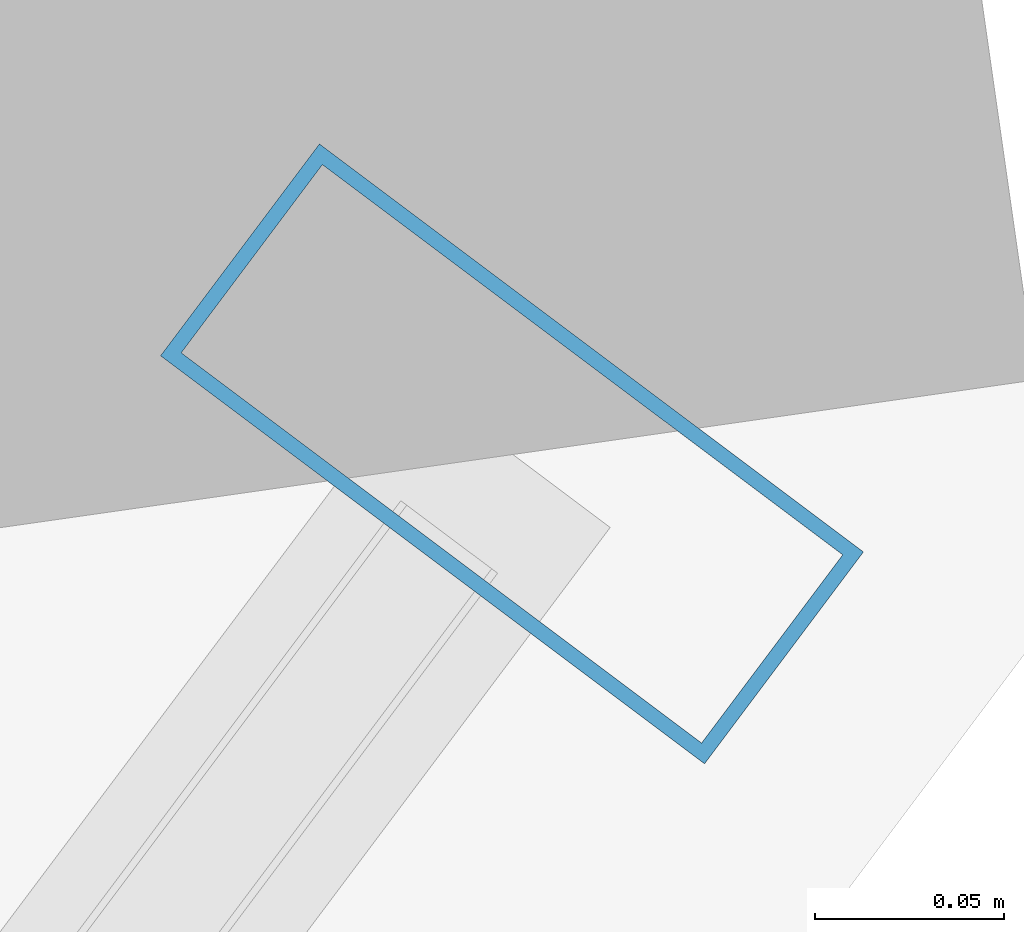
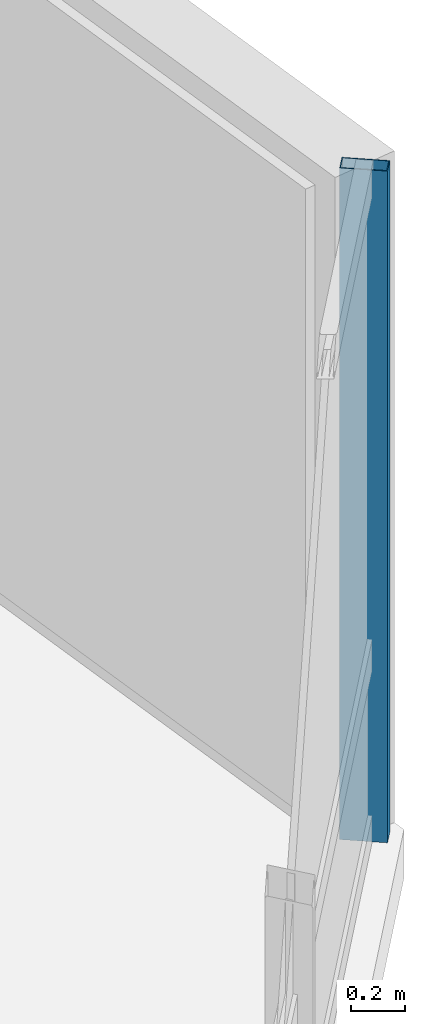
# One storey, part 18 of 36: 1 member, 1 element without a shape of its own.
"""IFC4 building model written with IfcOpenShell, lengths in metres."""

import ifcopenshell
import ifcopenshell.guid

model = None  # the IFC model being written
_history = None  # IfcOwnerHistory: only IFC2X3 demands one
_inside = {}  # id of a spatial element -> (the spatial element, [elements in it])
_under = {}  # id of a project, library or spatial element -> (it, [spatial elements below it])
_declared = {}  # id of a project -> (the project, [libraries it declares])
_typed = {}  # id of a type object -> (the type object, [elements of that type])
_made_of = {}  # id of a material, layer set ... -> (it, [elements and type objects made of it])


def new_model(schema):
    """Start an empty IFC model of exactly this schema.

    Asked for "IFC4X3", IfcOpenShell would pick the latest addendum, in which some entities
    have other attributes; the version numbers below select the first issue.
    IFC2X3 requires an IfcOwnerHistory on every rooted entity: one is made here for all.
    """
    global model, _history
    if schema == "IFC4X3":
        model = ifcopenshell.file(schema_version=(4, 3, 0, 0))
    else:
        model = ifcopenshell.file(schema=schema)
    _inside.clear()
    _under.clear()
    _declared.clear()
    _typed.clear()
    _made_of.clear()
    _history = None
    if model.schema == "IFC2X3":
        org = make("IfcOrganization", Name="unknown")
        user = make(
            "IfcPersonAndOrganization",
            ThePerson=make("IfcPerson", FamilyName="unknown"),
            TheOrganization=org,
        )
        app = make(
            "IfcApplication",
            ApplicationDeveloper=org,
            Version="unknown",
            ApplicationFullName="unknown",
            ApplicationIdentifier="unknown",
        )
        _history = make(
            "IfcOwnerHistory",
            OwningUser=user,
            OwningApplication=app,
            ChangeAction="ADDED",
            CreationDate=0,
        )
    return model


def make(cls, **values):
    """One entity of the class cls with the attributes given. An attribute that is None is left unset."""
    return model.create_entity(
        cls, **{name: value for name, value in values.items() if value is not None}
    )


def rooted(cls, **values):
    """An entity with a GlobalId (a new one), such as an element, a storey or a relation."""
    return make(cls, GlobalId=ifcopenshell.guid.new(), OwnerHistory=_history, **values)


def si_unit(unit_type, name, prefix=None):
    """IfcSIUnit, for example si_unit("LENGTHUNIT", "METRE", prefix="MILLI")."""
    return make("IfcSIUnit", UnitType=unit_type, Prefix=prefix, Name=name)


def assignment(units):
    """IfcUnitAssignment: the units of a project."""
    return None if units is None else make("IfcUnitAssignment", Units=units)


def point(xyz):
    """IfcCartesianPoint."""
    return None if xyz is None else make("IfcCartesianPoint", Coordinates=xyz)


def direction(xyz):
    """IfcDirection."""
    return None if xyz is None else make("IfcDirection", DirectionRatios=xyz)


def frame(location, z_axis=None, x_axis=None):
    """IfcAxis2Placement3D, a coordinate frame: its origin and axes. An axis left out is left unset."""
    return make(
        "IfcAxis2Placement3D",
        Location=point(location),
        Axis=direction(z_axis),
        RefDirection=direction(x_axis),
    )


def frame_2d(location, x_axis=None):
    """IfcAxis2Placement2D, a coordinate frame in the plane: its origin and x axis."""
    return make(
        "IfcAxis2Placement2D", Location=point(location), RefDirection=direction(x_axis)
    )


def origin():
    """The frame at (0, 0, 0) with its axes left unset."""
    return frame((0.0, 0.0, 0.0))


def origin_2d():
    """The frame at (0, 0) in the plane with its x axis left unset."""
    return frame_2d((0.0, 0.0))


def place(relative_to, where):
    """IfcLocalPlacement: puts the frame where relative to a parent placement (None: the world)."""
    return make(
        "IfcLocalPlacement", PlacementRelTo=relative_to, RelativePlacement=where
    )


def context(
    kind, dimensions, precision=None, world=None, true_north=None, identifier=None
):
    """IfcGeometricRepresentationContext, for example the 3D "Model" context."""
    return make(
        "IfcGeometricRepresentationContext",
        ContextIdentifier=identifier,
        ContextType=kind,
        CoordinateSpaceDimension=dimensions,
        Precision=precision,
        WorldCoordinateSystem=world,
        TrueNorth=true_north,
    )


def subcontext(parent, identifier, kind, view, scale=None):
    """IfcGeometricRepresentationSubContext, for example "Body" below "Model"."""
    return make(
        "IfcGeometricRepresentationSubContext",
        ContextIdentifier=identifier,
        ContextType=kind,
        ParentContext=parent,
        TargetScale=scale,
        TargetView=view,
    )


def project(units=None, contexts=None):
    """IfcProject with its units and contexts."""
    return rooted(
        "IfcProject",
        Name="project",
        RepresentationContexts=contexts,
        UnitsInContext=assignment(units),
    )


def spatial(cls, under=None, at=None, **own):
    """A site, building, storey or space (cls), placed at a placement, below another one or the project."""
    s = rooted(cls, ObjectPlacement=at, **own)
    if under is not None:
        _under.setdefault(under.id(), (under, []))[1].append(s)
    return s


def profile(cls, at=None, kind="AREA", **sizes):
    """A parametric profile (cls). Its sizes go by their IFC names, for example OverallWidth=200.0."""
    return make(cls, ProfileType=kind, Position=at, **sizes)


def hollow_rectangle(**sizes):
    """IfcRectangleHollowProfileDef."""
    return profile("IfcRectangleHollowProfileDef", **sizes)


def extrude(swept, where, along, depth):
    """IfcExtrudedAreaSolid: the profile swept, set in the frame where, extruded along a direction by depth."""
    return make(
        "IfcExtrudedAreaSolid",
        SweptArea=swept,
        Position=where,
        ExtrudedDirection=direction(along),
        Depth=depth,
    )


def shape(context_of_items, identifier, shape_type, items):
    """IfcShapeRepresentation: the items that make up one representation, for example the "Body"."""
    return make(
        "IfcShapeRepresentation",
        ContextOfItems=context_of_items,
        RepresentationIdentifier=identifier,
        RepresentationType=shape_type,
        Items=items,
    )


def material(Name=None, Category=None):
    """IfcMaterial."""
    return make("IfcMaterial", Name=Name, Category=Category)


def layer(
    of_material, thickness, ventilated=None, Name=None, Category=None, Priority=None
):
    """IfcMaterialLayer: one layer of a wall or slab, of a material (None: an air gap)."""
    return make(
        "IfcMaterialLayer",
        Material=of_material,
        LayerThickness=thickness,
        IsVentilated=ventilated,
        Name=Name,
        Category=Category,
        Priority=Priority,
    )


def layer_set(layers, Name=None):
    """IfcMaterialLayerSet."""
    return make("IfcMaterialLayerSet", MaterialLayers=layers, LayerSetName=Name)


def material_profile(
    of_material, cross_section, Name=None, Category=None, Priority=None
):
    """IfcMaterialProfile: a cross section and its material."""
    return make(
        "IfcMaterialProfile",
        Name=Name,
        Material=of_material,
        Profile=cross_section,
        Priority=Priority,
        Category=Category,
    )


def profile_set(profiles, Name=None, composite=None):
    """IfcMaterialProfileSet."""
    return make(
        "IfcMaterialProfileSet",
        Name=Name,
        MaterialProfiles=profiles,
        CompositeProfile=composite,
    )


def made_of(thing, what):
    """Note that an element or type object is made of a material, layer set ...; save() writes the relation."""
    if what is not None:
        _made_of.setdefault(what.id(), (what, []))[1].append(thing)
    return thing


def type_object(cls, material=None, **own):
    """A type object (cls), such as IfcWallType, which elements share."""
    return made_of(rooted(cls, **own), material)


def element(
    cls,
    number,
    at=None,
    inside=None,
    cuts=None,
    type_object=None,
    material=None,
    context=None,
    identifier="Body",
    shape_type=None,
    held_by="IfcProductDefinitionShape",
    body=None,
    shapes=None,
    **own,
):
    """One element of the class cls, such as IfcWall. Its Tag is "e" and its number.

    at: its placement. inside: the storey or other place that contains it. cuts: it is an
    opening in that element (IfcRelVoidsElement). A single representation is given by context,
    identifier, shape_type and body (its items); several are given by shapes. held_by: the class
    of the entity that holds the representations. save() writes the other relations.
    """
    e = rooted(cls, Tag="e%d" % number, ObjectPlacement=at, **own)
    if body is not None:
        shapes = [shape(context, identifier, shape_type, body)]
    if shapes is not None:
        e.Representation = make(held_by, Representations=shapes)
    if inside is not None:
        _inside.setdefault(inside.id(), (inside, []))[1].append(e)
    if cuts is not None:
        rooted(
            "IfcRelVoidsElement", RelatingBuildingElement=cuts, RelatedOpeningElement=e
        )
    if type_object is not None:
        _typed.setdefault(type_object.id(), (type_object, []))[1].append(e)
    return made_of(e, material)


def aggregate(whole, parts):
    """IfcRelAggregates: a whole, such as a stair, and the parts it consists of."""
    return rooted("IfcRelAggregates", RelatingObject=whole, RelatedObjects=parts)


def save(model, path):
    """Write the relations noted so far, then the file.

    IfcRelAggregates (storeys below a building ...), IfcRelContainedInSpatialStructure (elements
    in a storey), IfcRelDefinesByType, IfcRelAssociatesMaterial and IfcRelDeclares: one each for
    every whole, place, type object, material and project.
    """
    for whole, parts in _under.values():
        aggregate(whole, parts)
    for where, things in _inside.values():
        rooted(
            "IfcRelContainedInSpatialStructure",
            RelatedElements=things,
            RelatingStructure=where,
        )
    for kind, things in _typed.values():
        rooted("IfcRelDefinesByType", RelatedObjects=things, RelatingType=kind)
    for what, things in _made_of.values():
        rooted("IfcRelAssociatesMaterial", RelatedObjects=things, RelatingMaterial=what)
    for by, libraries in _declared.values():
        rooted("IfcRelDeclares", RelatingContext=by, RelatedDefinitions=libraries)
    model.write(path)


model = new_model("IFC4")

# Units and contexts
model_context = context("Model", 3, precision=1e-05, world=origin(), true_north=direction((0.0, 1.0)))
body_context = subcontext(model_context, "Body", "Model", "MODEL_VIEW")
ifc_project = project(units=[si_unit("LENGTHUNIT", "METRE"), si_unit("AREAUNIT", "SQUARE_METRE"), si_unit("VOLUMEUNIT", "CUBIC_METRE"), si_unit("PLANEANGLEUNIT", "RADIAN"), si_unit("MASSUNIT", "GRAM", prefix="KILO")], contexts=[model_context])

# Site, building, storey
site_placement = place(None, origin())
site = spatial("IfcSite", under=ifc_project, at=site_placement, CompositionType="ELEMENT")
building_placement = place(site_placement, origin())
building = spatial("IfcBuilding", under=site, at=building_placement, Name="Hatsunagi Terrace Concourse", CompositionType="ELEMENT")
storey_placement = place(building_placement, frame((0.0, 0.0, 88.0)))
storey = spatial("IfcBuildingStorey", under=building, at=storey_placement, Name="L23", CompositionType="ELEMENT", Elevation=88.0)

# Curtain wall, member
ifc_material_1 = material(Name="Anodised Aluminium Alloy 6063-T5", Category="aluminium")
ifc_layer = layer(ifc_material_1, 0.199951171875)
ifc_layer_set = layer_set([ifc_layer], Name="HotelFacade_CW02")
curtain_wall_type = type_object("IfcCurtainWallType", Name="HotelFacade_CW02", PredefinedType="NOTDEFINED", material=ifc_layer_set)
curtain_wall_placement = place(storey_placement, origin())
curtain_wall = element("IfcCurtainWall", 1, at=curtain_wall_placement, inside=storey, type_object=curtain_wall_type, Name="Unitised Curtain Wall CW-02 CW-L23-03", PredefinedType="NOTDEFINED")
ifc_material_2 = material(Name="Anodised Aluminium Alloy 6063-T5", Category="aluminium")
ifc_material_profile = material_profile(ifc_material_2, hollow_rectangle(XDim=0.070068359375, YDim=0.179931640625, WallThickness=0.00390625, at=origin_2d()), Name="ALU-MUL-180x70x4")
ifc_profile_set = profile_set([ifc_material_profile], Name="Anodised Aluminium Alloy 6063-T5")
member_type = type_object("IfcMemberType", Name="CurtainWallMullion_180x70", PredefinedType="MULLION", material=ifc_profile_set)
member_placement = place(storey_placement, frame((69.093017578125, 19.657958984375, 0.0), z_axis=(0.0, 0.0, 1.0), x_axis=(-0.599969314634, -0.800023013105, 0.0)))
member = element("IfcMember", 2, at=member_placement, type_object=member_type, Name="Curtain Wall Mullion MUL-02", PredefinedType="MULLION", context=body_context, shape_type="SweptSolid", body=[
    extrude(hollow_rectangle(XDim=0.070068359375, YDim=0.179931640625, WallThickness=0.00390625, at=origin_2d()), origin(), (0.0, 0.0, 1.0), 3.050048828125),
])
aggregate(curtain_wall, [member])

save(model, "model.ifc")
